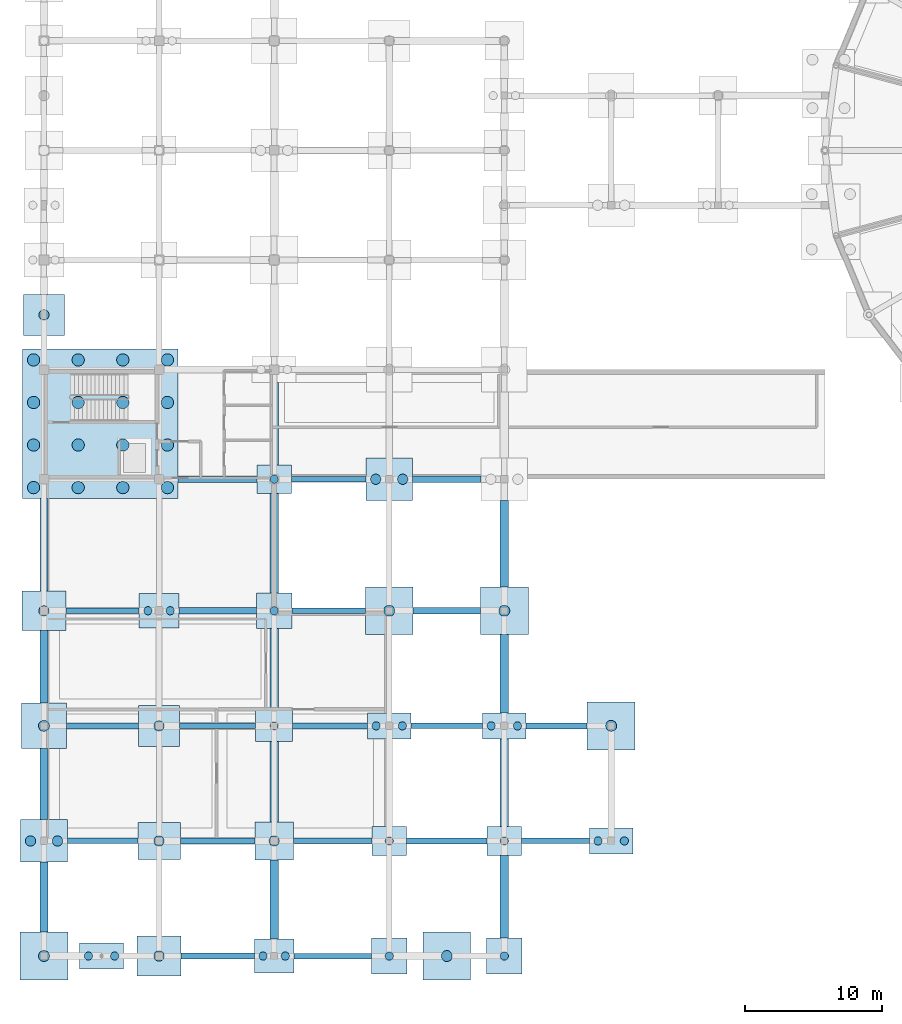
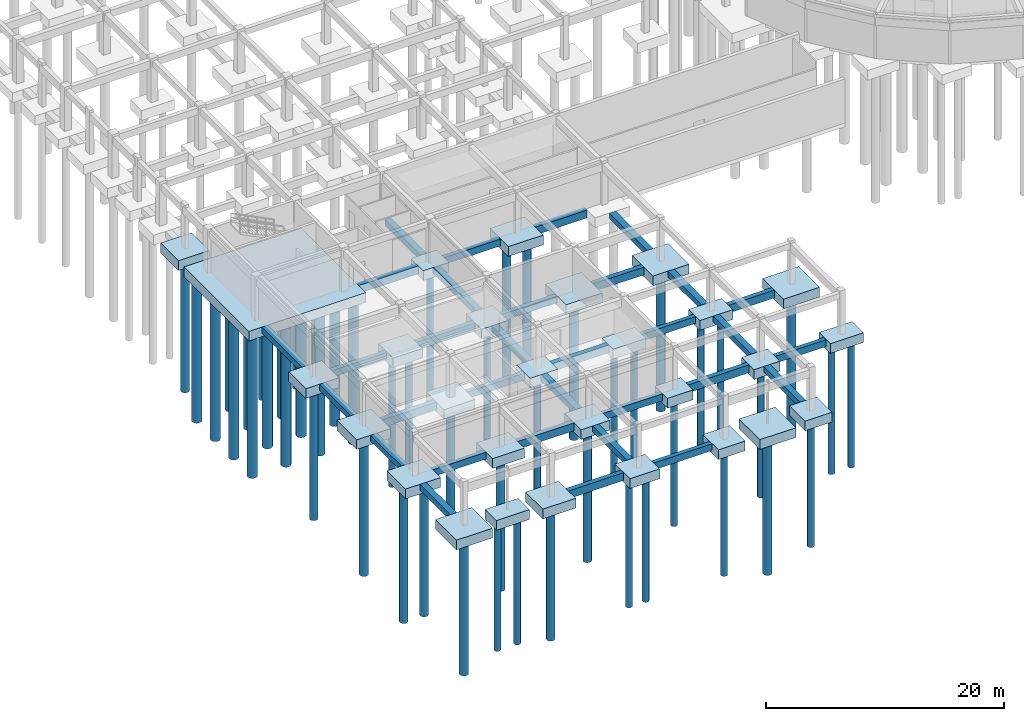
# One storey, part 1 of 43: 60 footings, 51 piles.
"""IFC4 building model written with IfcOpenShell, lengths in metres."""

import ifcopenshell
import ifcopenshell.guid

model = None  # the IFC model being written
_history = None  # IfcOwnerHistory: only IFC2X3 demands one
_inside = {}  # id of a spatial element -> (the spatial element, [elements in it])
_under = {}  # id of a project, library or spatial element -> (it, [spatial elements below it])
_declared = {}  # id of a project -> (the project, [libraries it declares])
_typed = {}  # id of a type object -> (the type object, [elements of that type])
_made_of = {}  # id of a material, layer set ... -> (it, [elements and type objects made of it])


def new_model(schema):
    """Start an empty IFC model of exactly this schema.

    Asked for "IFC4X3", IfcOpenShell would pick the latest addendum, in which some entities
    have other attributes; the version numbers below select the first issue.
    IFC2X3 requires an IfcOwnerHistory on every rooted entity: one is made here for all.
    """
    global model, _history
    if schema == "IFC4X3":
        model = ifcopenshell.file(schema_version=(4, 3, 0, 0))
    else:
        model = ifcopenshell.file(schema=schema)
    _inside.clear()
    _under.clear()
    _declared.clear()
    _typed.clear()
    _made_of.clear()
    _history = None
    if model.schema == "IFC2X3":
        org = make("IfcOrganization", Name="unknown")
        user = make(
            "IfcPersonAndOrganization",
            ThePerson=make("IfcPerson", FamilyName="unknown"),
            TheOrganization=org,
        )
        app = make(
            "IfcApplication",
            ApplicationDeveloper=org,
            Version="unknown",
            ApplicationFullName="unknown",
            ApplicationIdentifier="unknown",
        )
        _history = make(
            "IfcOwnerHistory",
            OwningUser=user,
            OwningApplication=app,
            ChangeAction="ADDED",
            CreationDate=0,
        )
    return model


def make(cls, **values):
    """One entity of the class cls with the attributes given. An attribute that is None is left unset."""
    return model.create_entity(
        cls, **{name: value for name, value in values.items() if value is not None}
    )


def rooted(cls, **values):
    """An entity with a GlobalId (a new one), such as an element, a storey or a relation."""
    return make(cls, GlobalId=ifcopenshell.guid.new(), OwnerHistory=_history, **values)


def si_unit(unit_type, name, prefix=None):
    """IfcSIUnit, for example si_unit("LENGTHUNIT", "METRE", prefix="MILLI")."""
    return make("IfcSIUnit", UnitType=unit_type, Prefix=prefix, Name=name)


def derived_unit(unit_type, elements):
    """IfcDerivedUnit: a product of units, each with its exponent."""
    return make(
        "IfcDerivedUnit",
        Elements=[
            make("IfcDerivedUnitElement", Unit=unit, Exponent=power)
            for unit, power in elements
        ],
        UnitType=unit_type,
    )


def assignment(units):
    """IfcUnitAssignment: the units of a project."""
    return None if units is None else make("IfcUnitAssignment", Units=units)


def point(xyz):
    """IfcCartesianPoint."""
    return None if xyz is None else make("IfcCartesianPoint", Coordinates=xyz)


def direction(xyz):
    """IfcDirection."""
    return None if xyz is None else make("IfcDirection", DirectionRatios=xyz)


def frame(location, z_axis=None, x_axis=None):
    """IfcAxis2Placement3D, a coordinate frame: its origin and axes. An axis left out is left unset."""
    return make(
        "IfcAxis2Placement3D",
        Location=point(location),
        Axis=direction(z_axis),
        RefDirection=direction(x_axis),
    )


def frame_2d(location, x_axis=None):
    """IfcAxis2Placement2D, a coordinate frame in the plane: its origin and x axis."""
    return make(
        "IfcAxis2Placement2D", Location=point(location), RefDirection=direction(x_axis)
    )


def origin():
    """The frame at (0, 0, 0) with its axes left unset."""
    return frame((0.0, 0.0, 0.0))


def origin_2d():
    """The frame at (0, 0) in the plane with its x axis left unset."""
    return frame_2d((0.0, 0.0))


def place(relative_to, where):
    """IfcLocalPlacement: puts the frame where relative to a parent placement (None: the world)."""
    return make(
        "IfcLocalPlacement", PlacementRelTo=relative_to, RelativePlacement=where
    )


def context(
    kind, dimensions, precision=None, world=None, true_north=None, identifier=None
):
    """IfcGeometricRepresentationContext, for example the 3D "Model" context."""
    return make(
        "IfcGeometricRepresentationContext",
        ContextIdentifier=identifier,
        ContextType=kind,
        CoordinateSpaceDimension=dimensions,
        Precision=precision,
        WorldCoordinateSystem=world,
        TrueNorth=true_north,
    )


def subcontext(parent, identifier, kind, view, scale=None):
    """IfcGeometricRepresentationSubContext, for example "Body" below "Model"."""
    return make(
        "IfcGeometricRepresentationSubContext",
        ContextIdentifier=identifier,
        ContextType=kind,
        ParentContext=parent,
        TargetScale=scale,
        TargetView=view,
    )


def project(units=None, contexts=None):
    """IfcProject with its units and contexts."""
    return rooted(
        "IfcProject",
        Name="project",
        RepresentationContexts=contexts,
        UnitsInContext=assignment(units),
    )


def spatial(cls, under=None, at=None, **own):
    """A site, building, storey or space (cls), placed at a placement, below another one or the project."""
    s = rooted(cls, ObjectPlacement=at, **own)
    if under is not None:
        _under.setdefault(under.id(), (under, []))[1].append(s)
    return s


def profile(cls, at=None, kind="AREA", **sizes):
    """A parametric profile (cls). Its sizes go by their IFC names, for example OverallWidth=200.0."""
    return make(cls, ProfileType=kind, Position=at, **sizes)


def rectangle(**sizes):
    """IfcRectangleProfileDef."""
    return profile("IfcRectangleProfileDef", **sizes)


def circle(**sizes):
    """IfcCircleProfileDef."""
    return profile("IfcCircleProfileDef", **sizes)


def extrude(swept, where, along, depth):
    """IfcExtrudedAreaSolid: the profile swept, set in the frame where, extruded along a direction by depth."""
    return make(
        "IfcExtrudedAreaSolid",
        SweptArea=swept,
        Position=where,
        ExtrudedDirection=direction(along),
        Depth=depth,
    )


def shape(context_of_items, identifier, shape_type, items):
    """IfcShapeRepresentation: the items that make up one representation, for example the "Body"."""
    return make(
        "IfcShapeRepresentation",
        ContextOfItems=context_of_items,
        RepresentationIdentifier=identifier,
        RepresentationType=shape_type,
        Items=items,
    )


def material(Name=None, Category=None):
    """IfcMaterial."""
    return make("IfcMaterial", Name=Name, Category=Category)


def material_profile(
    of_material, cross_section, Name=None, Category=None, Priority=None
):
    """IfcMaterialProfile: a cross section and its material."""
    return make(
        "IfcMaterialProfile",
        Name=Name,
        Material=of_material,
        Profile=cross_section,
        Priority=Priority,
        Category=Category,
    )


def profile_set(profiles, Name=None, composite=None):
    """IfcMaterialProfileSet."""
    return make(
        "IfcMaterialProfileSet",
        Name=Name,
        MaterialProfiles=profiles,
        CompositeProfile=composite,
    )


def made_of(thing, what):
    """Note that an element or type object is made of a material, layer set ...; save() writes the relation."""
    if what is not None:
        _made_of.setdefault(what.id(), (what, []))[1].append(thing)
    return thing


def type_object(cls, material=None, **own):
    """A type object (cls), such as IfcWallType, which elements share."""
    return made_of(rooted(cls, **own), material)


def element(
    cls,
    number,
    at=None,
    inside=None,
    cuts=None,
    type_object=None,
    material=None,
    context=None,
    identifier="Body",
    shape_type=None,
    held_by="IfcProductDefinitionShape",
    body=None,
    shapes=None,
    **own,
):
    """One element of the class cls, such as IfcWall. Its Tag is "e" and its number.

    at: its placement. inside: the storey or other place that contains it. cuts: it is an
    opening in that element (IfcRelVoidsElement). A single representation is given by context,
    identifier, shape_type and body (its items); several are given by shapes. held_by: the class
    of the entity that holds the representations. save() writes the other relations.
    """
    e = rooted(cls, Tag="e%d" % number, ObjectPlacement=at, **own)
    if body is not None:
        shapes = [shape(context, identifier, shape_type, body)]
    if shapes is not None:
        e.Representation = make(held_by, Representations=shapes)
    if inside is not None:
        _inside.setdefault(inside.id(), (inside, []))[1].append(e)
    if cuts is not None:
        rooted(
            "IfcRelVoidsElement", RelatingBuildingElement=cuts, RelatedOpeningElement=e
        )
    if type_object is not None:
        _typed.setdefault(type_object.id(), (type_object, []))[1].append(e)
    return made_of(e, material)


def aggregate(whole, parts):
    """IfcRelAggregates: a whole, such as a stair, and the parts it consists of."""
    return rooted("IfcRelAggregates", RelatingObject=whole, RelatedObjects=parts)


def save(model, path):
    """Write the relations noted so far, then the file.

    IfcRelAggregates (storeys below a building ...), IfcRelContainedInSpatialStructure (elements
    in a storey), IfcRelDefinesByType, IfcRelAssociatesMaterial and IfcRelDeclares: one each for
    every whole, place, type object, material and project.
    """
    for whole, parts in _under.values():
        aggregate(whole, parts)
    for where, things in _inside.values():
        rooted(
            "IfcRelContainedInSpatialStructure",
            RelatedElements=things,
            RelatingStructure=where,
        )
    for kind, things in _typed.values():
        rooted("IfcRelDefinesByType", RelatedObjects=things, RelatingType=kind)
    for what, things in _made_of.values():
        rooted("IfcRelAssociatesMaterial", RelatedObjects=things, RelatingMaterial=what)
    for by, libraries in _declared.values():
        rooted("IfcRelDeclares", RelatingContext=by, RelatedDefinitions=libraries)
    model.write(path)


model = new_model("IFC4")

# Units and contexts
model_context = context("Model", 3, precision=1e-05, world=origin(), true_north=direction((0.0, 1.0)))
body_context = subcontext(model_context, "Body", "Model", "MODEL_VIEW")
ifc_project = project(units=[si_unit("LENGTHUNIT", "METRE"), si_unit("AREAUNIT", "SQUARE_METRE"), si_unit("VOLUMEUNIT", "CUBIC_METRE"), si_unit("PLANEANGLEUNIT", "RADIAN"), si_unit("MASSUNIT", "GRAM", prefix="KILO"), derived_unit("THERMALTRANSMITTANCEUNIT", [(si_unit("POWERUNIT", "WATT"), 1), (si_unit("AREAUNIT", "SQUARE_METRE"), -1), (si_unit("THERMODYNAMICTEMPERATUREUNIT", "KELVIN"), -1)])], contexts=[model_context])

# Site, building, storey
site_placement = place(None, origin())
site = spatial("IfcSite", under=ifc_project, at=site_placement, CompositionType="ELEMENT")
building_placement = place(site_placement, origin())
building = spatial("IfcBuilding", under=site, at=building_placement, Name="Yasenodar Specialist Clinic", CompositionType="ELEMENT")
storey_placement = place(building_placement, frame((0.0, 0.0, -4.5)))
storey = spatial("IfcBuildingStorey", under=building, at=storey_placement, Name="B1", CompositionType="ELEMENT", Elevation=-4.5)

# Footings
ifc_material_1 = material(Name="Concrete C35/45", Category="concrete")
ifc_material_profile_1 = material_profile(ifc_material_1, rectangle(XDim=0.39990234375, YDim=0.699951171875, at=origin_2d()), Name="RC 400x700")
ifc_profile_set_1 = profile_set([ifc_material_profile_1], Name="Concrete C35/45")
footing_type_1 = type_object("IfcFootingType", Name="FB-400x700", PredefinedType="FOOTING_BEAM", material=ifc_profile_set_1)
footing_1_placement = place(storey_placement, frame((18.25, 0.0, -0.39990234375), z_axis=(1.0, 0.0, 0.0), x_axis=(0.0, 1.0, 0.0)))
element("IfcFooting", 1, at=footing_1_placement, inside=storey, type_object=footing_type_1, Name="B1 E-W Ground Tie Beam 002", PredefinedType="FOOTING_BEAM", context=body_context, shape_type="SweptSolid", body=[
    extrude(rectangle(XDim=0.39990234375, YDim=0.699951171875, at=origin_2d()), origin(), (0.0, 0.0, 1.0), 5.64990234375),
])
footing_2_placement = place(storey_placement, frame((1.699951171875, 8.39990234375, -0.39990234375), z_axis=(1.0, 0.0, 0.0), x_axis=(0.0, 1.0, 0.0)))
element("IfcFooting", 2, at=footing_2_placement, inside=storey, type_object=footing_type_1, Name="B1 E-W Ground Tie Beam 010", PredefinedType="FOOTING_BEAM", context=body_context, shape_type="SweptSolid", body=[
    extrude(rectangle(XDim=0.39990234375, YDim=0.699951171875, at=origin_2d()), origin(), (0.0, 0.0, 1.0), 5.150146484375),
])
footing_3_placement = place(storey_placement, frame((18.199951171875, 8.39990234375, -0.39990234375), z_axis=(1.0, 0.0, 0.0), x_axis=(0.0, 1.0, 0.0)))
element("IfcFooting", 3, at=footing_3_placement, inside=storey, type_object=footing_type_1, Name="B1 E-W Ground Tie Beam 012", PredefinedType="FOOTING_BEAM", context=body_context, shape_type="SweptSolid", body=[
    extrude(rectangle(XDim=0.39990234375, YDim=0.699951171875, at=origin_2d()), origin(), (0.0, 0.0, 1.0), 5.75),
])
footing_4_placement = place(storey_placement, frame((34.85009765625, 8.39990234375, -0.39990234375), z_axis=(1.0, 0.0, 0.0), x_axis=(0.0, 1.0, 0.0)))
element("IfcFooting", 4, at=footing_4_placement, inside=storey, type_object=footing_type_1, Name="B1 E-W Ground Tie Beam 014", PredefinedType="FOOTING_BEAM", context=body_context, shape_type="SweptSolid", body=[
    extrude(rectangle(XDim=0.39990234375, YDim=0.699951171875, at=origin_2d()), origin(), (0.0, 0.0, 1.0), 4.949951171875),
])
footing_5_placement = place(storey_placement, frame((9.89990234375, 16.800048828125, -0.39990234375), z_axis=(1.0, 0.0, 0.0), x_axis=(0.0, 1.0, 0.0)))
element("IfcFooting", 5, at=footing_5_placement, inside=storey, type_object=footing_type_1, Name="B1 E-W Ground Tie Beam 022", PredefinedType="FOOTING_BEAM", context=body_context, shape_type="SweptSolid", body=[
    extrude(rectangle(XDim=0.39990234375, YDim=0.699951171875, at=origin_2d()), origin(), (0.0, 0.0, 1.0), 5.550048828125),
])
footing_6_placement = place(storey_placement, frame((26.800048828125, 16.800048828125, -0.39990234375), z_axis=(1.0, 0.0, 0.0), x_axis=(0.0, 1.0, 0.0)))
element("IfcFooting", 6, at=footing_6_placement, inside=storey, type_object=footing_type_1, Name="B1 E-W Ground Tie Beam 024", PredefinedType="FOOTING_BEAM", context=body_context, shape_type="SweptSolid", body=[
    extrude(rectangle(XDim=0.39990234375, YDim=0.699951171875, at=origin_2d()), origin(), (0.0, 0.0, 1.0), 5.199951171875),
])
for number, where, z_axis, x_axis, name in (
    (7, (1.60009765625, 25.199951171875, -0.39990234375), (1.0, 0.0, 0.0), (0.0, 1.0, 0.0), "B1 E-W Ground Tie Beam 032"),
    (8, (18.10009765625, 25.199951171875, -0.39990234375), (1.0, 0.0, 0.0), (0.0, 1.0, 0.0), "B1 E-W Ground Tie Beam 034"),
):
    element("IfcFooting", number, at=place(storey_placement, frame(where, z_axis=z_axis, x_axis=x_axis)), inside=storey, type_object=footing_type_1, Name=name, PredefinedType="FOOTING_BEAM", context=body_context, shape_type="SweptSolid", body=[
        extrude(rectangle(XDim=0.39990234375, YDim=0.699951171875, at=origin_2d()), origin(), (0.0, 0.0, 1.0), 5.349853515625),
    ])
footing_7_placement = place(storey_placement, frame((18.050048828125, 34.800048828125, -0.39990234375), z_axis=(1.0, 0.0, 0.0), x_axis=(0.0, 1.0, 0.0)))
element("IfcFooting", 9, at=footing_7_placement, inside=storey, type_object=footing_type_1, Name="B1 E-W Ground Tie Beam 042", PredefinedType="FOOTING_BEAM", context=body_context, shape_type="SweptSolid", body=[
    extrude(rectangle(XDim=0.39990234375, YDim=0.699951171875, at=origin_2d()), origin(), (0.0, 0.0, 1.0), 5.449951171875),
])
ifc_material_profile_2 = material_profile(ifc_material_1, rectangle(XDim=0.449951171875, YDim=0.800048828125, at=origin_2d()), Name="RC 450x800")
ifc_profile_set_2 = profile_set([ifc_material_profile_2], Name="Concrete C35/45")
footing_type_2 = type_object("IfcFootingType", Name="FB-450x800", PredefinedType="FOOTING_BEAM", material=ifc_profile_set_2)
footing_8_placement = place(storey_placement, frame((10.0, 0.0, -0.39990234375), z_axis=(1.0, 0.0, 0.0), x_axis=(0.0, 1.0, 0.0)))
element("IfcFooting", 10, at=footing_8_placement, inside=storey, type_object=footing_type_2, Name="B1 E-W Ground Tie Beam 001", PredefinedType="FOOTING_BEAM", context=body_context, shape_type="SweptSolid", body=[
    extrude(rectangle(XDim=0.449951171875, YDim=0.800048828125, at=origin_2d()), origin(), (0.0, 0.0, 1.0), 5.35009765625),
])
footing_9_placement = place(storey_placement, frame((9.949951171875, 8.39990234375, -0.39990234375), z_axis=(1.0, 0.0, 0.0), x_axis=(0.0, 1.0, 0.0)))
element("IfcFooting", 11, at=footing_9_placement, inside=storey, type_object=footing_type_2, Name="B1 E-W Ground Tie Beam 011", PredefinedType="FOOTING_BEAM", context=body_context, shape_type="SweptSolid", body=[
    extrude(rectangle(XDim=0.449951171875, YDim=0.800048828125, at=origin_2d()), origin(), (0.0, 0.0, 1.0), 5.449951171875),
])
footing_10_placement = place(storey_placement, frame((26.449951171875, 8.39990234375, -0.39990234375), z_axis=(1.0, 0.0, 0.0), x_axis=(0.0, 1.0, 0.0)))
element("IfcFooting", 12, at=footing_10_placement, inside=storey, type_object=footing_type_2, Name="B1 E-W Ground Tie Beam 013", PredefinedType="FOOTING_BEAM", context=body_context, shape_type="SweptSolid", body=[
    extrude(rectangle(XDim=0.449951171875, YDim=0.800048828125, at=origin_2d()), origin(), (0.0, 0.0, 1.0), 5.900146484375),
])
footing_11_placement = place(storey_placement, frame((1.64990234375, 16.800048828125, -0.39990234375), z_axis=(1.0, 0.0, 0.0), x_axis=(0.0, 1.0, 0.0)))
element("IfcFooting", 13, at=footing_11_placement, inside=storey, type_object=footing_type_2, Name="B1 E-W Ground Tie Beam 021", PredefinedType="FOOTING_BEAM", context=body_context, shape_type="SweptSolid", body=[
    extrude(rectangle(XDim=0.449951171875, YDim=0.800048828125, at=origin_2d()), origin(), (0.0, 0.0, 1.0), 5.25),
])
footing_12_placement = place(storey_placement, frame((18.14990234375, 16.800048828125, -0.39990234375), z_axis=(1.0, 0.0, 0.0), x_axis=(0.0, 1.0, 0.0)))
element("IfcFooting", 14, at=footing_12_placement, inside=storey, type_object=footing_type_2, Name="B1 E-W Ground Tie Beam 023", PredefinedType="FOOTING_BEAM", context=body_context, shape_type="SweptSolid", body=[
    extrude(rectangle(XDim=0.449951171875, YDim=0.800048828125, at=origin_2d()), origin(), (0.0, 0.0, 1.0), 5.4501953125),
])
footing_13_placement = place(storey_placement, frame((35.199951171875, 16.800048828125, -0.39990234375), z_axis=(1.0, 0.0, 0.0), x_axis=(0.0, 1.0, 0.0)))
element("IfcFooting", 15, at=footing_13_placement, inside=storey, type_object=footing_type_2, Name="B1 E-W Ground Tie Beam 025", PredefinedType="FOOTING_BEAM", context=body_context, shape_type="SweptSolid", body=[
    extrude(rectangle(XDim=0.449951171875, YDim=0.800048828125, at=origin_2d()), origin(), (0.0, 0.0, 1.0), 4.449951171875),
])
footing_14_placement = place(storey_placement, frame((9.85009765625, 25.199951171875, -0.39990234375), z_axis=(1.0, 0.0, 0.0), x_axis=(0.0, 1.0, 0.0)))
element("IfcFooting", 16, at=footing_14_placement, inside=storey, type_object=footing_type_2, Name="B1 E-W Ground Tie Beam 033", PredefinedType="FOOTING_BEAM", context=body_context, shape_type="SweptSolid", body=[
    extrude(rectangle(XDim=0.449951171875, YDim=0.800048828125, at=origin_2d()), origin(), (0.0, 0.0, 1.0), 5.64990234375),
])
footing_15_placement = place(storey_placement, frame((26.949951171875, 25.199951171875, -0.39990234375), z_axis=(1.0, 0.0, 0.0), x_axis=(0.0, 1.0, 0.0)))
element("IfcFooting", 17, at=footing_15_placement, inside=storey, type_object=footing_type_2, Name="B1 E-W Ground Tie Beam 035", PredefinedType="FOOTING_BEAM", context=body_context, shape_type="SweptSolid", body=[
    extrude(rectangle(XDim=0.449951171875, YDim=0.800048828125, at=origin_2d()), origin(), (0.0, 0.0, 1.0), 4.900146484375),
])
footing_16_placement = place(storey_placement, frame((9.800048828125, 34.800048828125, -0.39990234375), z_axis=(1.0, 0.0, 0.0), x_axis=(0.0, 1.0, 0.0)))
element("IfcFooting", 18, at=footing_16_placement, inside=storey, type_object=footing_type_2, Name="B1 E-W Ground Tie Beam 041", PredefinedType="FOOTING_BEAM", context=body_context, shape_type="SweptSolid", body=[
    extrude(rectangle(XDim=0.449951171875, YDim=0.800048828125, at=origin_2d()), origin(), (0.0, 0.0, 1.0), 5.75),
])
footing_17_placement = place(storey_placement, frame((26.89990234375, 34.800048828125, -0.39990234375), z_axis=(1.0, 0.0, 0.0), x_axis=(0.0, 1.0, 0.0)))
element("IfcFooting", 19, at=footing_17_placement, inside=storey, type_object=footing_type_2, Name="B1 E-W Ground Tie Beam 043", PredefinedType="FOOTING_BEAM", context=body_context, shape_type="SweptSolid", body=[
    extrude(rectangle(XDim=0.449951171875, YDim=0.800048828125, at=origin_2d()), origin(), (0.0, 0.0, 1.0), 5.0),
])
ifc_material_profile_3 = material_profile(ifc_material_1, rectangle(XDim=0.60009765625, YDim=0.60009765625, at=origin_2d()), Name="RC 600x600")
ifc_profile_set_3 = profile_set([ifc_material_profile_3], Name="Concrete C35/45")
footing_type_3 = type_object("IfcFootingType", Name="FB-600x600", PredefinedType="FOOTING_BEAM", material=ifc_profile_set_3)
footing_18_placement = place(storey_placement, frame((0.0, 1.75, -0.300048828125), z_axis=(0.0, 1.0, 0.0), x_axis=(-1.0, 0.0, 0.0)))
element("IfcFooting", 20, at=footing_18_placement, inside=storey, type_object=footing_type_3, Name="B1 N-S Ground Tie Beam 123", PredefinedType="FOOTING_BEAM", context=body_context, shape_type="SweptSolid", body=[
    extrude(rectangle(XDim=0.60009765625, YDim=0.60009765625, at=origin_2d()), origin(), (0.0, 0.0, 1.0), 5.10009765625),
])
footing_19_placement = place(storey_placement, frame((0.0, 9.949951171875, -0.300048828125), z_axis=(0.0, 1.0, 0.0), x_axis=(-1.0, 0.0, 0.0)))
element("IfcFooting", 21, at=footing_19_placement, inside=storey, type_object=footing_type_3, Name="B1 N-S Ground Tie Beam 124", PredefinedType="FOOTING_BEAM", context=body_context, shape_type="SweptSolid", body=[
    extrude(rectangle(XDim=0.60009765625, YDim=0.60009765625, at=origin_2d()), origin(), (0.0, 0.0, 1.0), 5.199951171875),
])
footing_20_placement = place(storey_placement, frame((0.0, 18.449951171875, -0.300048828125), z_axis=(0.0, 1.0, 0.0), x_axis=(-1.0, 0.0, 0.0)))
element("IfcFooting", 22, at=footing_20_placement, inside=storey, type_object=footing_type_3, Name="B1 N-S Ground Tie Beam 125", PredefinedType="FOOTING_BEAM", context=body_context, shape_type="SweptSolid", body=[
    extrude(rectangle(XDim=0.60009765625, YDim=0.60009765625, at=origin_2d()), origin(), (0.0, 0.0, 1.0), 5.300048828125),
])
footing_21_placement = place(storey_placement, frame((0.0, 26.64990234375, -0.300048828125), z_axis=(0.0, 1.0, 0.0), x_axis=(-1.0, 0.0, 0.0)))
element("IfcFooting", 23, at=footing_21_placement, inside=storey, type_object=footing_type_3, Name="B1 N-S Ground Tie Beam 126", PredefinedType="FOOTING_BEAM", context=body_context, shape_type="SweptSolid", body=[
    extrude(rectangle(XDim=0.60009765625, YDim=0.60009765625, at=origin_2d()), origin(), (0.0, 0.0, 1.0), 6.75),
])
footing_22_placement = place(storey_placement, frame((16.800048828125, 1.25, -0.300048828125), z_axis=(0.0, 1.0, 0.0), x_axis=(-1.0, 0.0, 0.0)))
element("IfcFooting", 24, at=footing_22_placement, inside=storey, type_object=footing_type_3, Name="B1 N-S Ground Tie Beam 137", PredefinedType="FOOTING_BEAM", context=body_context, shape_type="SweptSolid", body=[
    extrude(rectangle(XDim=0.60009765625, YDim=0.60009765625, at=origin_2d()), origin(), (0.0, 0.0, 1.0), 5.75),
])
footing_23_placement = place(storey_placement, frame((16.800048828125, 9.800048828125, -0.300048828125), z_axis=(0.0, 1.0, 0.0), x_axis=(-1.0, 0.0, 0.0)))
element("IfcFooting", 25, at=footing_23_placement, inside=storey, type_object=footing_type_3, Name="B1 N-S Ground Tie Beam 138", PredefinedType="FOOTING_BEAM", context=body_context, shape_type="SweptSolid", body=[
    extrude(rectangle(XDim=0.60009765625, YDim=0.60009765625, at=origin_2d()), origin(), (0.0, 0.0, 1.0), 5.849853515625),
])
footing_24_placement = place(storey_placement, frame((16.800048828125, 17.949951171875, -0.300048828125), z_axis=(0.0, 1.0, 0.0), x_axis=(-1.0, 0.0, 0.0)))
element("IfcFooting", 26, at=footing_24_placement, inside=storey, type_object=footing_type_3, Name="B1 N-S Ground Tie Beam 139", PredefinedType="FOOTING_BEAM", context=body_context, shape_type="SweptSolid", body=[
    extrude(rectangle(XDim=0.60009765625, YDim=0.60009765625, at=origin_2d()), origin(), (0.0, 0.0, 1.0), 5.949951171875),
])
footing_25_placement = place(storey_placement, frame((16.800048828125, 26.5, -0.300048828125), z_axis=(0.0, 1.0, 0.0), x_axis=(-1.0, 0.0, 0.0)))
element("IfcFooting", 27, at=footing_25_placement, inside=storey, type_object=footing_type_3, Name="B1 N-S Ground Tie Beam 140", PredefinedType="FOOTING_BEAM", context=body_context, shape_type="SweptSolid", body=[
    extrude(rectangle(XDim=0.60009765625, YDim=0.60009765625, at=origin_2d()), origin(), (0.0, 0.0, 1.0), 7.25),
])
footing_26_placement = place(storey_placement, frame((16.800048828125, 35.85009765625, -0.300048828125), z_axis=(0.0, 1.0, 0.0), x_axis=(-1.0, 0.0, 0.0)))
element("IfcFooting", 28, at=footing_26_placement, inside=storey, type_object=footing_type_3, Name="B1 N-S Ground Tie Beam 141", PredefinedType="FOOTING_BEAM", context=body_context, shape_type="SweptSolid", body=[
    extrude(rectangle(XDim=0.60009765625, YDim=0.60009765625, at=origin_2d()), origin(), (0.0, 0.0, 1.0), 6.0),
])
footing_27_placement = place(storey_placement, frame((33.60009765625, 1.300048828125, -0.300048828125), z_axis=(0.0, 1.0, 0.0), x_axis=(-1.0, 0.0, 0.0)))
element("IfcFooting", 29, at=footing_27_placement, inside=storey, type_object=footing_type_3, Name="B1 N-S Ground Tie Beam 151", PredefinedType="FOOTING_BEAM", context=body_context, shape_type="SweptSolid", body=[
    extrude(rectangle(XDim=0.60009765625, YDim=0.60009765625, at=origin_2d()), origin(), (0.0, 0.0, 1.0), 6.050048828125),
])
footing_28_placement = place(storey_placement, frame((33.60009765625, 9.449951171875, -0.300048828125), z_axis=(0.0, 1.0, 0.0), x_axis=(-1.0, 0.0, 0.0)))
element("IfcFooting", 30, at=footing_28_placement, inside=storey, type_object=footing_type_3, Name="B1 N-S Ground Tie Beam 152", PredefinedType="FOOTING_BEAM", context=body_context, shape_type="SweptSolid", body=[
    extrude(rectangle(XDim=0.60009765625, YDim=0.60009765625, at=origin_2d()), origin(), (0.0, 0.0, 1.0), 6.400146484375),
])
footing_29_placement = place(storey_placement, frame((33.60009765625, 17.75, -0.300048828125), z_axis=(0.0, 1.0, 0.0), x_axis=(-1.0, 0.0, 0.0)))
element("IfcFooting", 31, at=footing_29_placement, inside=storey, type_object=footing_type_3, Name="B1 N-S Ground Tie Beam 153", PredefinedType="FOOTING_BEAM", context=body_context, shape_type="SweptSolid", body=[
    extrude(rectangle(XDim=0.60009765625, YDim=0.60009765625, at=origin_2d()), origin(), (0.0, 0.0, 1.0), 5.699951171875),
])
footing_30_placement = place(storey_placement, frame((33.60009765625, 26.949951171875, -0.300048828125), z_axis=(0.0, 1.0, 0.0), x_axis=(-1.0, 0.0, 0.0)))
element("IfcFooting", 32, at=footing_30_placement, inside=storey, type_object=footing_type_3, Name="B1 N-S Ground Tie Beam 154", PredefinedType="FOOTING_BEAM", context=body_context, shape_type="SweptSolid", body=[
    extrude(rectangle(XDim=0.60009765625, YDim=0.60009765625, at=origin_2d()), origin(), (0.0, 0.0, 1.0), 6.300048828125),
])
footing_type_4 = type_object("IfcFootingType", Name="PC-1135x1090", PredefinedType="PILE_CAP", material=ifc_material_1)
footing_31_placement = place(storey_placement, frame((4.125, 38.85009765625, -1.0), z_axis=(0.0, 0.0, 1.0), x_axis=(1.0, 0.0, 0.0)))
element("IfcFooting", 33, at=footing_31_placement, inside=storey, type_object=footing_type_4, Name="B1 Pile Cap 050", PredefinedType="PILE_CAP", context=body_context, shape_type="SweptSolid", body=[
    extrude(rectangle(XDim=11.35009765625, YDim=10.89990234375, at=origin_2d()), origin(), (0.0, 0.0, 1.0), 1.0),
])
footing_type_5 = type_object("IfcFootingType", Name="PC-250x210", PredefinedType="PILE_CAP", material=ifc_material_1)
for number, where, z_axis, x_axis, name in (
    (34, (25.199951171875, 8.39990234375, -1.0), (0.0, 0.0, 1.0), (1.0, 0.0, 0.0), "B1 Pile Cap 019"),
    (35, (33.60009765625, 8.39990234375, -1.0), (0.0, 0.0, 1.0), (1.0, 0.0, 0.0), "B1 Pile Cap 020"),
    (36, (16.800048828125, 34.800048828125, -1.0), (0.0, 0.0, 1.0), (1.0, 0.0, 0.0), "B1 Pile Cap 052"),
):
    element("IfcFooting", number, at=place(storey_placement, frame(where, z_axis=z_axis, x_axis=x_axis)), inside=storey, type_object=footing_type_5, Name=name, PredefinedType="PILE_CAP", context=body_context, shape_type="SweptSolid", body=[
        extrude(rectangle(XDim=2.5, YDim=2.10009765625, at=origin_2d()), origin(), (0.0, 0.0, 1.0), 1.0),
    ])
footing_type_6 = type_object("IfcFootingType", Name="PC-260x260", PredefinedType="PILE_CAP", material=ifc_material_1)
for number, where, z_axis, x_axis, name in (
    (37, (25.199951171875, 0.0, -1.0), (0.0, 0.0, 1.0), (1.0, 0.0, 0.0), "B1 Pile Cap 006"),
    (38, (33.60009765625, 0.0, -1.0), (0.0, 0.0, 1.0), (1.0, 0.0, 0.0), "B1 Pile Cap 007"),
    (39, (16.800048828125, 25.199951171875, -1.0), (0.0, 0.0, 1.0), (1.0, 0.0, 0.0), "B1 Pile Cap 039"),
):
    element("IfcFooting", number, at=place(storey_placement, frame(where, z_axis=z_axis, x_axis=x_axis)), inside=storey, type_object=footing_type_6, Name=name, PredefinedType="PILE_CAP", context=body_context, shape_type="SweptSolid", body=[
        extrude(rectangle(XDim=2.60009765625, YDim=2.60009765625, at=origin_2d()), origin(), (0.0, 0.0, 1.0), 1.0),
    ])
footing_type_7 = type_object("IfcFootingType", Name="PC-270x230", PredefinedType="PILE_CAP", material=ifc_material_1)
footing_32_placement = place(storey_placement, frame((16.800048828125, 16.800048828125, -1.0), z_axis=(0.0, 0.0, 1.0), x_axis=(1.0, 0.0, 0.0)))
element("IfcFooting", 40, at=footing_32_placement, inside=storey, type_object=footing_type_7, Name="B1 Pile Cap 028", PredefinedType="PILE_CAP", context=body_context, shape_type="SweptSolid", body=[
    extrude(rectangle(XDim=2.699951171875, YDim=2.300048828125, at=origin_2d()), origin(), (0.0, 0.0, 1.0), 1.0),
])
footing_type_8 = type_object("IfcFootingType", Name="PC-280x280", PredefinedType="PILE_CAP", material=ifc_material_1)
footing_33_placement = place(storey_placement, frame((16.800048828125, 8.39990234375, -1.0), z_axis=(0.0, 0.0, 1.0), x_axis=(1.0, 0.0, 0.0)))
element("IfcFooting", 41, at=footing_33_placement, inside=storey, type_object=footing_type_8, Name="B1 Pile Cap 015", PredefinedType="PILE_CAP", context=body_context, shape_type="SweptSolid", body=[
    extrude(rectangle(XDim=2.800048828125, YDim=2.800048828125, at=origin_2d()), origin(), (0.0, 0.0, 1.0), 1.0),
])
footing_type_9 = type_object("IfcFootingType", Name="PC-290x250", PredefinedType="PILE_CAP", material=ifc_material_1)
for number, where, z_axis, x_axis, name in (
    (42, (16.800048828125, 0.0, -1.0), (0.0, 0.0, 1.0), (1.0, 0.0, 0.0), "B1 Pile Cap 009"),
    (43, (8.39990234375, 25.199951171875, -1.0), (0.0, 0.0, 1.0), (1.0, 0.0, 0.0), "B1 Pile Cap 041"),
):
    element("IfcFooting", number, at=place(storey_placement, frame(where, z_axis=z_axis, x_axis=x_axis)), inside=storey, type_object=footing_type_9, Name=name, PredefinedType="PILE_CAP", context=body_context, shape_type="SweptSolid", body=[
        extrude(rectangle(XDim=2.89990234375, YDim=2.5, at=origin_2d()), origin(), (0.0, 0.0, 1.0), 1.0),
    ])
footing_type_10 = type_object("IfcFootingType", Name="PC-300x300", PredefinedType="PILE_CAP", material=ifc_material_1)
for number, where, z_axis, x_axis, name in (
    (44, (8.39990234375, 16.800048828125, -1.0), (0.0, 0.0, 1.0), (1.0, 0.0, 0.0), "B1 Pile Cap 025"),
    (45, (0.0, 46.800048828125, -1.0), (0.0, 0.0, 1.0), (1.0, 0.0, 0.0), "B1 Pile Cap 069"),
):
    element("IfcFooting", number, at=place(storey_placement, frame(where, z_axis=z_axis, x_axis=x_axis)), inside=storey, type_object=footing_type_10, Name=name, PredefinedType="PILE_CAP", context=body_context, shape_type="SweptSolid", body=[
        extrude(rectangle(XDim=3.0, YDim=3.0, at=origin_2d()), origin(), (0.0, 0.0, 1.0), 1.0),
    ])
footing_type_11 = type_object("IfcFootingType", Name="PC-310x270", PredefinedType="PILE_CAP", material=ifc_material_1)
footing_34_placement = place(storey_placement, frame((8.39990234375, 8.39990234375, -1.0), z_axis=(0.0, 0.0, 1.0), x_axis=(1.0, 0.0, 0.0)))
element("IfcFooting", 46, at=footing_34_placement, inside=storey, type_object=footing_type_11, Name="B1 Pile Cap 017", PredefinedType="PILE_CAP", context=body_context, shape_type="SweptSolid", body=[
    extrude(rectangle(XDim=3.10009765625, YDim=2.699951171875, at=origin_2d()), origin(), (0.0, 0.0, 1.0), 1.0),
])
footing_type_12 = type_object("IfcFootingType", Name="PC-320x190", PredefinedType="PILE_CAP", material=ifc_material_1)
for number, where, z_axis, x_axis, name in (
    (47, (4.199951171875, 0.0, -1.0), (0.0, 0.0, 1.0), (1.0, 0.0, 0.0), "B1 Pile Cap 012"),
    (48, (41.39990234375, 8.39990234375, -1.0), (0.0, 0.0, 1.0), (1.0, 0.0, 0.0), "B1 Pile Cap 021"),
    (49, (25.199951171875, 16.800048828125, -1.0), (0.0, 0.0, 1.0), (1.0, 0.0, 0.0), "B1 Pile Cap 031"),
    (50, (33.60009765625, 16.800048828125, -1.0), (0.0, 0.0, 1.0), (1.0, 0.0, 0.0), "B1 Pile Cap 032"),
):
    element("IfcFooting", number, at=place(storey_placement, frame(where, z_axis=z_axis, x_axis=x_axis)), inside=storey, type_object=footing_type_12, Name=name, PredefinedType="PILE_CAP", context=body_context, shape_type="SweptSolid", body=[
        extrude(rectangle(XDim=3.199951171875, YDim=1.89990234375, at=origin_2d()), origin(), (0.0, 0.0, 1.0), 1.0),
    ])
footing_type_13 = type_object("IfcFootingType", Name="PC-320x290", PredefinedType="PILE_CAP", material=ifc_material_1)
for number, where, z_axis, x_axis, name in (
    (51, (8.39990234375, 0.0, -1.0), (0.0, 0.0, 1.0), (1.0, 0.0, 0.0), "B1 Pile Cap 004"),
    (52, (0.0, 25.199951171875, -1.0), (0.0, 0.0, 1.0), (1.0, 0.0, 0.0), "B1 Pile Cap 037"),
):
    element("IfcFooting", number, at=place(storey_placement, frame(where, z_axis=z_axis, x_axis=x_axis)), inside=storey, type_object=footing_type_13, Name=name, PredefinedType="PILE_CAP", context=body_context, shape_type="SweptSolid", body=[
        extrude(rectangle(XDim=3.199951171875, YDim=2.89990234375, at=origin_2d()), origin(), (0.0, 0.0, 1.0), 1.0),
    ])
footing_type_14 = type_object("IfcFootingType", Name="PC-330x330", PredefinedType="PILE_CAP", material=ifc_material_1)
footing_35_placement = place(storey_placement, frame((0.0, 16.800048828125, -1.0), z_axis=(0.0, 0.0, 1.0), x_axis=(1.0, 0.0, 0.0)))
element("IfcFooting", 53, at=footing_35_placement, inside=storey, type_object=footing_type_14, Name="B1 Pile Cap 023", PredefinedType="PILE_CAP", context=body_context, shape_type="SweptSolid", body=[
    extrude(rectangle(XDim=3.300048828125, YDim=3.300048828125, at=origin_2d()), origin(), (0.0, 0.0, 1.0), 1.0),
])
footing_type_15 = type_object("IfcFootingType", Name="PC-340x310", PredefinedType="PILE_CAP", material=ifc_material_1)
for number, where, z_axis, x_axis, name in (
    (54, (0.0, 8.39990234375, -1.0), (0.0, 0.0, 1.0), (1.0, 0.0, 0.0), "B1 Pile Cap 013"),
    (55, (25.199951171875, 34.800048828125, -1.0), (0.0, 0.0, 1.0), (1.0, 0.0, 0.0), "B1 Pile Cap 045"),
):
    element("IfcFooting", number, at=place(storey_placement, frame(where, z_axis=z_axis, x_axis=x_axis)), inside=storey, type_object=footing_type_15, Name=name, PredefinedType="PILE_CAP", context=body_context, shape_type="SweptSolid", body=[
        extrude(rectangle(XDim=3.39990234375, YDim=3.10009765625, at=origin_2d()), origin(), (0.0, 0.0, 1.0), 1.0),
    ])
footing_type_16 = type_object("IfcFootingType", Name="PC-350x350", PredefinedType="PILE_CAP", material=ifc_material_1)
for number, where, z_axis, x_axis, name in (
    (56, (0.0, 0.0, -1.0), (0.0, 0.0, 1.0), (1.0, 0.0, 0.0), "B1 Pile Cap 001"),
    (57, (29.39990234375, 0.0, -1.0), (0.0, 0.0, 1.0), (1.0, 0.0, 0.0), "B1 Pile Cap 002"),
    (58, (41.39990234375, 16.800048828125, -1.0), (0.0, 0.0, 1.0), (1.0, 0.0, 0.0), "B1 Pile Cap 022"),
    (59, (25.199951171875, 25.199951171875, -1.0), (0.0, 0.0, 1.0), (1.0, 0.0, 0.0), "B1 Pile Cap 033"),
    (60, (33.60009765625, 25.199951171875, -1.0), (0.0, 0.0, 1.0), (1.0, 0.0, 0.0), "B1 Pile Cap 034"),
):
    element("IfcFooting", number, at=place(storey_placement, frame(where, z_axis=z_axis, x_axis=x_axis)), inside=storey, type_object=footing_type_16, Name=name, PredefinedType="PILE_CAP", context=body_context, shape_type="SweptSolid", body=[
        extrude(rectangle(XDim=3.5, YDim=3.5, at=origin_2d()), origin(), (0.0, 0.0, 1.0), 1.0),
    ])

# Piles
ifc_material_2 = material(Name="Concrete C30/37", Category="concrete")
ifc_material_profile_4 = material_profile(ifc_material_2, circle(Radius=0.300048828125, at=origin_2d()), Name="PILE D600")
ifc_profile_set_4 = profile_set([ifc_material_profile_4], Name="Concrete C30/37")
pile_type_1 = type_object("IfcPileType", Name="PILE-D600", PredefinedType="BORED", material=ifc_profile_set_4)
for number, where, z_axis, x_axis, name in (
    (61, (25.199951171875, 0.0, -0.89990234375), (0.0, 0.0, -1.0), (1.0, 0.0, 0.0), "B1 Bored Pile 0021"),
    (62, (33.60009765625, 0.0, -0.89990234375), (0.0, 0.0, -1.0), (1.0, 0.0, 0.0), "B1 Bored Pile 0022"),
    (63, (15.989990234375, 0.0, -0.89990234375), (0.0, 0.0, -1.0), (1.0, 0.0, 0.0), "B1 Bored Pile 0024"),
    (64, (17.610107421875, 0.0, -0.89990234375), (0.0, 0.0, -1.0), (1.0, 0.0, 0.0), "B1 Bored Pile 0025"),
    (65, (3.239990234375, 0.0, -0.89990234375), (0.0, 0.0, -1.0), (1.0, 0.0, 0.0), "B1 Bored Pile 0029"),
    (66, (5.159912109375, 0.0, -0.89990234375), (0.0, 0.0, -1.0), (1.0, 0.0, 0.0), "B1 Bored Pile 0030"),
    (67, (25.199951171875, 8.39990234375, -0.89990234375), (0.0, 0.0, -1.0), (1.0, 0.0, 0.0), "B1 Bored Pile 0038"),
    (68, (33.60009765625, 8.39990234375, -0.89990234375), (0.0, 0.0, -1.0), (1.0, 0.0, 0.0), "B1 Bored Pile 0039"),
    (69, (40.43994140625, 8.39990234375, -0.89990234375), (0.0, 0.0, -1.0), (1.0, 0.0, 0.0), "B1 Bored Pile 0040"),
    (70, (42.360107421875, 8.39990234375, -0.89990234375), (0.0, 0.0, -1.0), (1.0, 0.0, 0.0), "B1 Bored Pile 0041"),
    (71, (16.800048828125, 16.800048828125, -0.89990234375), (0.0, 0.0, -1.0), (1.0, 0.0, 0.0), "B1 Bored Pile 0049"),
    (72, (24.239990234375, 16.800048828125, -0.89990234375), (0.0, 0.0, -1.0), (1.0, 0.0, 0.0), "B1 Bored Pile 0052"),
    (73, (26.159912109375, 16.800048828125, -0.89990234375), (0.0, 0.0, -1.0), (1.0, 0.0, 0.0), "B1 Bored Pile 0053"),
    (74, (32.639892578125, 16.800048828125, -0.89990234375), (0.0, 0.0, -1.0), (1.0, 0.0, 0.0), "B1 Bored Pile 0054"),
    (75, (34.56005859375, 16.800048828125, -0.89990234375), (0.0, 0.0, -1.0), (1.0, 0.0, 0.0), "B1 Bored Pile 0055"),
    (76, (16.800048828125, 25.199951171875, -0.89990234375), (0.0, 0.0, -1.0), (1.0, 0.0, 0.0), "B1 Bored Pile 0062"),
    (77, (7.590087890625, 25.199951171875, -0.89990234375), (0.0, 0.0, -1.0), (1.0, 0.0, 0.0), "B1 Bored Pile 0064"),
    (78, (9.2099609375, 25.199951171875, -0.89990234375), (0.0, 0.0, -1.0), (1.0, 0.0, 0.0), "B1 Bored Pile 0065"),
    (79, (16.800048828125, 34.800048828125, -0.89990234375), (0.0, 0.0, -1.0), (1.0, 0.0, 0.0), "B1 Bored Pile 0100"),
):
    element("IfcPile", number, at=place(storey_placement, frame(where, z_axis=z_axis, x_axis=x_axis)), inside=storey, type_object=pile_type_1, Name=name, PredefinedType="BORED", context=body_context, shape_type="SweptSolid", body=[
        extrude(circle(Radius=0.300048828125, at=origin_2d()), origin(), (0.0, 0.0, 1.0), 13.10009765625),
    ])
ifc_material_profile_5 = material_profile(ifc_material_2, circle(Radius=0.375, at=origin_2d()), Name="PILE D750")
ifc_profile_set_5 = profile_set([ifc_material_profile_5], Name="Concrete C30/37")
pile_type_2 = type_object("IfcPileType", Name="PILE-D750", PredefinedType="BORED", material=ifc_profile_set_5)
for number, where, z_axis, x_axis, name in (
    (80, (8.39990234375, 0.0, -0.89990234375), (0.0, 0.0, -1.0), (1.0, 0.0, 0.0), "B1 Bored Pile 0019"),
    (81, (-0.985107421875, 8.39990234375, -0.89990234375), (0.0, 0.0, -1.0), (1.0, 0.0, 0.0), "B1 Bored Pile 0031"),
    (82, (0.985107421875, 8.39990234375, -0.89990234375), (0.0, 0.0, -1.0), (1.0, 0.0, 0.0), "B1 Bored Pile 0032"),
    (83, (16.800048828125, 8.39990234375, -0.89990234375), (0.0, 0.0, -1.0), (1.0, 0.0, 0.0), "B1 Bored Pile 0034"),
    (84, (8.39990234375, 8.39990234375, -0.89990234375), (0.0, 0.0, -1.0), (1.0, 0.0, 0.0), "B1 Bored Pile 0036"),
    (85, (8.39990234375, 16.800048828125, -0.89990234375), (0.0, 0.0, -1.0), (1.0, 0.0, 0.0), "B1 Bored Pile 0046"),
    (86, (0.0, 25.199951171875, -0.89990234375), (0.0, 0.0, -1.0), (1.0, 0.0, 0.0), "B1 Bored Pile 0060"),
    (87, (24.215087890625, 34.800048828125, -0.89990234375), (0.0, 0.0, -1.0), (1.0, 0.0, 0.0), "B1 Bored Pile 0071"),
    (88, (26.18505859375, 34.800048828125, -0.89990234375), (0.0, 0.0, -1.0), (1.0, 0.0, 0.0), "B1 Bored Pile 0072"),
    (89, (0.0, 46.800048828125, -0.89990234375), (0.0, 0.0, -1.0), (1.0, 0.0, 0.0), "B1 Bored Pile 0137"),
):
    element("IfcPile", number, at=place(storey_placement, frame(where, z_axis=z_axis, x_axis=x_axis)), inside=storey, type_object=pile_type_2, Name=name, PredefinedType="BORED", context=body_context, shape_type="SweptSolid", body=[
        extrude(circle(Radius=0.375, at=origin_2d()), origin(), (0.0, 0.0, 1.0), 13.800048828125),
    ])
ifc_material_profile_6 = material_profile(ifc_material_2, circle(Radius=0.39990234375, at=origin_2d()), Name="PILE D800")
ifc_profile_set_6 = profile_set([ifc_material_profile_6], Name="Concrete C30/37")
pile_type_3 = type_object("IfcPileType", Name="PILE-D800", PredefinedType="BORED", material=ifc_profile_set_6)
for number, where, z_axis, x_axis, name in (
    (90, (0.0, 0.0, -0.89990234375), (0.0, 0.0, -1.0), (1.0, 0.0, 0.0), "B1 Bored Pile 0001"),
    (91, (29.39990234375, 0.0, -0.89990234375), (0.0, 0.0, -1.0), (1.0, 0.0, 0.0), "B1 Bored Pile 0002"),
    (92, (41.39990234375, 16.800048828125, -0.89990234375), (0.0, 0.0, -1.0), (1.0, 0.0, 0.0), "B1 Bored Pile 0042"),
    (93, (0.0, 16.800048828125, -0.89990234375), (0.0, 0.0, -1.0), (1.0, 0.0, 0.0), "B1 Bored Pile 0043"),
    (94, (25.199951171875, 25.199951171875, -0.89990234375), (0.0, 0.0, -1.0), (1.0, 0.0, 0.0), "B1 Bored Pile 0056"),
    (95, (33.60009765625, 25.199951171875, -0.89990234375), (0.0, 0.0, -1.0), (1.0, 0.0, 0.0), "B1 Bored Pile 0057"),
):
    element("IfcPile", number, at=place(storey_placement, frame(where, z_axis=z_axis, x_axis=x_axis)), inside=storey, type_object=pile_type_3, Name=name, PredefinedType="BORED", context=body_context, shape_type="SweptSolid", body=[
        extrude(circle(Radius=0.39990234375, at=origin_2d()), origin(), (0.0, 0.0, 1.0), 14.39990234375),
    ])
ifc_material_profile_7 = material_profile(ifc_material_2, circle(Radius=0.449951171875, at=origin_2d()), Name="PILE D900")
ifc_profile_set_7 = profile_set([ifc_material_profile_7], Name="Concrete C30/37")
pile_type_4 = type_object("IfcPileType", Name="PILE-D900", PredefinedType="BORED", material=ifc_profile_set_7)
for number, where, z_axis, x_axis, name in (
    (96, (-0.760009765625, 34.18994140625, -0.89990234375), (0.0, 0.0, -1.0), (1.0, 0.0, 0.0), "B1 Bored Pile 0083"),
    (97, (-0.760009765625, 37.296630859375, -0.89990234375), (0.0, 0.0, -1.0), (1.0, 0.0, 0.0), "B1 Bored Pile 0084"),
    (98, (-0.760009765625, 40.4033203125, -0.89990234375), (0.0, 0.0, -1.0), (1.0, 0.0, 0.0), "B1 Bored Pile 0085"),
    (99, (-0.760009765625, 43.510009765625, -0.89990234375), (0.0, 0.0, -1.0), (1.0, 0.0, 0.0), "B1 Bored Pile 0086"),
    (100, (2.49658203125, 34.18994140625, -0.89990234375), (0.0, 0.0, -1.0), (1.0, 0.0, 0.0), "B1 Bored Pile 0087"),
    (101, (2.49658203125, 37.296630859375, -0.89990234375), (0.0, 0.0, -1.0), (1.0, 0.0, 0.0), "B1 Bored Pile 0088"),
    (102, (2.49658203125, 40.4033203125, -0.89990234375), (0.0, 0.0, -1.0), (1.0, 0.0, 0.0), "B1 Bored Pile 0089"),
    (103, (2.49658203125, 43.510009765625, -0.89990234375), (0.0, 0.0, -1.0), (1.0, 0.0, 0.0), "B1 Bored Pile 0090"),
    (104, (5.75341796875, 34.18994140625, -0.89990234375), (0.0, 0.0, -1.0), (1.0, 0.0, 0.0), "B1 Bored Pile 0091"),
    (105, (5.75341796875, 37.296630859375, -0.89990234375), (0.0, 0.0, -1.0), (1.0, 0.0, 0.0), "B1 Bored Pile 0092"),
    (106, (5.75341796875, 40.4033203125, -0.89990234375), (0.0, 0.0, -1.0), (1.0, 0.0, 0.0), "B1 Bored Pile 0093"),
    (107, (5.75341796875, 43.510009765625, -0.89990234375), (0.0, 0.0, -1.0), (1.0, 0.0, 0.0), "B1 Bored Pile 0094"),
    (108, (9.010009765625, 34.18994140625, -0.89990234375), (0.0, 0.0, -1.0), (1.0, 0.0, 0.0), "B1 Bored Pile 0095"),
    (109, (9.010009765625, 37.296630859375, -0.89990234375), (0.0, 0.0, -1.0), (1.0, 0.0, 0.0), "B1 Bored Pile 0096"),
    (110, (9.010009765625, 40.4033203125, -0.89990234375), (0.0, 0.0, -1.0), (1.0, 0.0, 0.0), "B1 Bored Pile 0097"),
    (111, (9.010009765625, 43.510009765625, -0.89990234375), (0.0, 0.0, -1.0), (1.0, 0.0, 0.0), "B1 Bored Pile 0098"),
):
    element("IfcPile", number, at=place(storey_placement, frame(where, z_axis=z_axis, x_axis=x_axis)), inside=storey, type_object=pile_type_4, Name=name, PredefinedType="BORED", context=body_context, shape_type="SweptSolid", body=[
        extrude(circle(Radius=0.449951171875, at=origin_2d()), origin(), (0.0, 0.0, 1.0), 14.60009765625),
    ])

save(model, "model.ifc")
